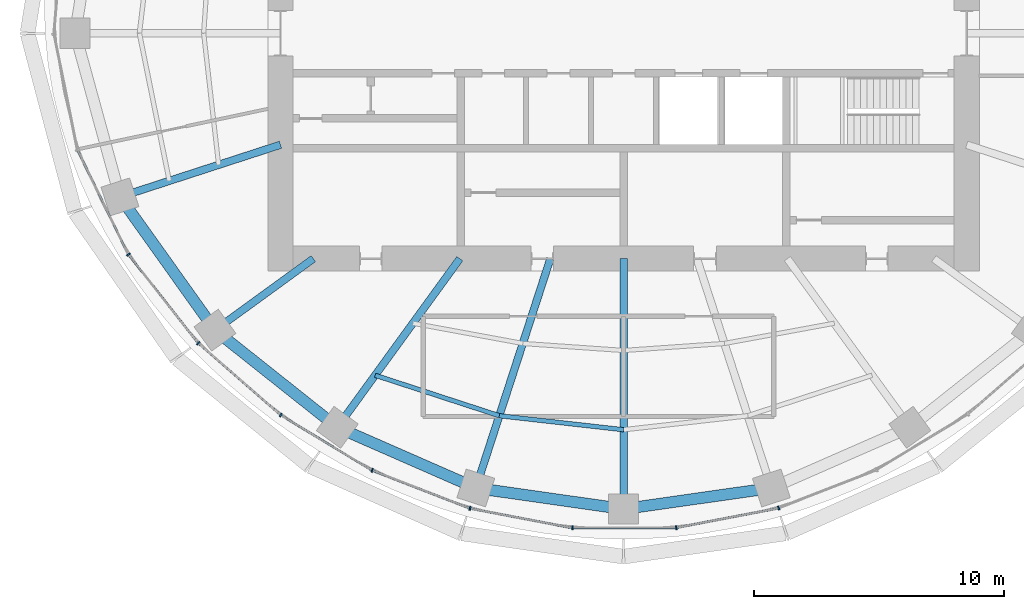
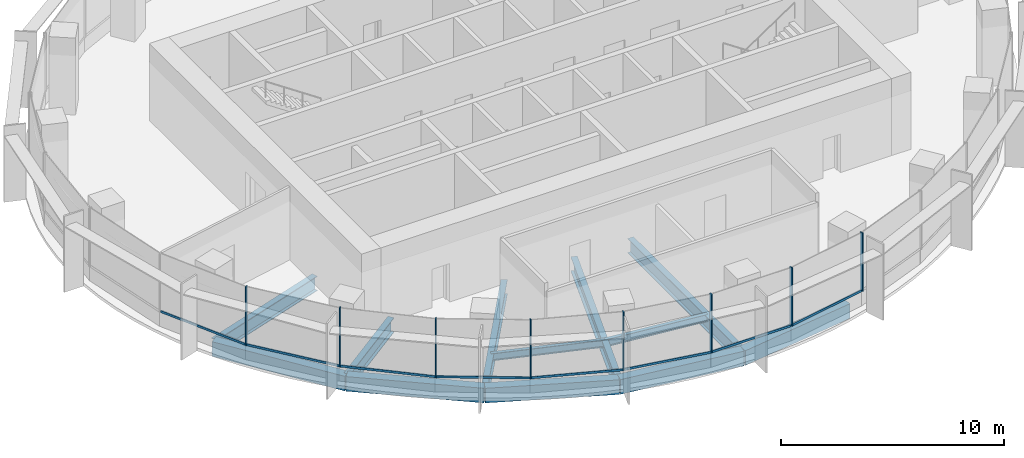
# One storey, part 2 of 13: 16 members, 12 beams, 2 elements without a shape of their own.
"""IFC4 building model written with IfcOpenShell, lengths in metres."""

from ifc_helpers import new_model, si_unit, direction, frame, origin, origin_2d, place, context, subcontext, project, spatial, rectangle, i_section, extrude, material, material_profile, profile_set, type_object, element, aggregate, save


model = new_model("IFC4")

# Units and contexts
model_context = context("Model", 3, precision=1e-05, world=origin(), true_north=direction((0.0, 1.0)))
body_context = subcontext(model_context, "Body", "Model", "MODEL_VIEW")
ifc_project = project(units=[si_unit("LENGTHUNIT", "METRE"), si_unit("AREAUNIT", "SQUARE_METRE"), si_unit("VOLUMEUNIT", "CUBIC_METRE"), si_unit("PLANEANGLEUNIT", "RADIAN"), si_unit("MASSUNIT", "GRAM", prefix="KILO")], contexts=[model_context])

# Site, building, storey
site_placement = place(None, origin())
site = spatial("IfcSite", under=ifc_project, at=site_placement, CompositionType="ELEMENT")
building_placement = place(site_placement, origin())
building = spatial("IfcBuilding", under=site, at=building_placement, Name="Marramba Exchange Tower", CompositionType="ELEMENT")
storey_placement = place(building_placement, frame((0.0, 0.0, 272.800048828125)))
storey = spatial("IfcBuildingStorey", under=building, at=storey_placement, Name="L66", CompositionType="ELEMENT", Elevation=272.800048828125)

# Curtain wall, members
ifc_material_1 = material(Name="Aluminium framing, bronze anodised", Category="aluminium")
curtain_wall_type = type_object("IfcCurtainWallType", Name="Executive floor ribbon curtain wall", PredefinedType="USERDEFINED", material=ifc_material_1)
curtain_wall_1_placement = place(storey_placement, origin())
curtain_wall_1 = element("IfcCurtainWall", 1, at=curtain_wall_1_placement, inside=storey, type_object=curtain_wall_type, Name="Curtain wall CW5 L66 F16-F20", ObjectType="RIBBON CURTAIN WALL", PredefinedType="USERDEFINED")
ifc_material_2 = material(Name="Aluminium mullion, bronze anodised", Category="aluminium")
ifc_material_profile_1 = material_profile(ifc_material_2, rectangle(XDim=0.159912109375, YDim=0.06005859375, at=origin_2d()), Name="CW5 mullion 60x160")
ifc_profile_set_1 = profile_set([ifc_material_profile_1], Name="Aluminium mullion, bronze anodised")
member_type_1 = type_object("IfcMemberType", Name="Executive floor ribbon curtain wall mullion", PredefinedType="MULLION", material=ifc_profile_set_1)
member_1_placement = place(storey_placement, frame((-19.771240234375, -8.83447265625, 0.800048828125), z_axis=(0.0, 0.0, 1.0), x_axis=(0.78594954734, 0.618290634763, 0.0)))
member_1 = element("IfcMember", 2, at=member_1_placement, type_object=member_type_1, Name="CW5 mullion 1", PredefinedType="MULLION", context=body_context, shape_type="SweptSolid", body=[
    extrude(rectangle(XDim=0.159912109375, YDim=0.06005859375, at=origin_2d()), origin(), (0.0, 0.0, 1.0), 3.199951171875),
])
member_2_placement = place(storey_placement, frame((-16.98046875, -12.373291015625, 0.800048828125), z_axis=(0.0, 0.0, 1.0), x_axis=(0.658305290779, 0.752751050569, 0.0)))
member_2 = element("IfcMember", 3, at=member_2_placement, type_object=member_type_1, Name="CW5 mullion 1", PredefinedType="MULLION", context=body_context, shape_type="SweptSolid", body=[
    extrude(rectangle(XDim=0.159912109375, YDim=0.06005859375, at=origin_2d()), origin(), (0.0, 0.0, 1.0), 3.199951171875),
])
member_3_placement = place(storey_placement, frame((-13.687744140625, -15.245849609375, 0.800048828125), z_axis=(0.0, 0.0, 1.0), x_axis=(0.519115121209, 0.854704329539, 0.0)))
member_3 = element("IfcMember", 4, at=member_3_placement, type_object=member_type_1, Name="CW5 mullion 1", PredefinedType="MULLION", context=body_context, shape_type="SweptSolid", body=[
    extrude(rectangle(XDim=0.159912109375, YDim=0.06005859375, at=origin_2d()), origin(), (0.0, 0.0, 1.0), 3.199951171875),
])

curtain_wall_2_placement = place(storey_placement, origin())
curtain_wall_2 = element("IfcCurtainWall", 5, at=curtain_wall_2_placement, inside=storey, type_object=curtain_wall_type, Name="Curtain wall CW5 L66 F21-F25", ObjectType="RIBBON CURTAIN WALL", PredefinedType="USERDEFINED")
member_4_placement = place(storey_placement, frame((-10.042724609375, -17.45361328125, 0.800048828125), z_axis=(0.0, 0.0, 1.0), x_axis=(0.363010271018, 0.931785137859, 0.0)))
member_4 = element("IfcMember", 6, at=member_4_placement, type_object=member_type_1, Name="CW5 mullion 1", PredefinedType="MULLION", context=body_context, shape_type="SweptSolid", body=[
    extrude(rectangle(XDim=0.159912109375, YDim=0.06005859375, at=origin_2d()), origin(), (0.0, 0.0, 1.0), 3.199951171875),
])
member_5_placement = place(storey_placement, frame((-6.1328125, -18.97119140625, 0.800048828125), z_axis=(0.0, 0.0, 1.0), x_axis=(0.187873198899, 0.982193291127, 0.0)))
member_5 = element("IfcMember", 7, at=member_5_placement, type_object=member_type_1, Name="CW5 mullion 1", PredefinedType="MULLION", context=body_context, shape_type="SweptSolid", body=[
    extrude(rectangle(XDim=0.159912109375, YDim=0.06005859375, at=origin_2d()), origin(), (0.0, 0.0, 1.0), 3.199951171875),
])
member_6_placement = place(storey_placement, frame((-2.04541015625, -19.7470703125, 0.800048828125), z_axis=(0.0, 0.0, 1.0), x_axis=(0.0, 1.0, 0.0)))
member_6 = element("IfcMember", 8, at=member_6_placement, type_object=member_type_1, Name="CW5 mullion 1", PredefinedType="MULLION", context=body_context, shape_type="SweptSolid", body=[
    extrude(rectangle(XDim=0.159912109375, YDim=0.06005859375, at=origin_2d()), origin(), (0.0, 0.0, 1.0), 3.199951171875),
])
member_7_placement = place(storey_placement, frame((2.10498046875, -19.741455078125, 0.800048828125), z_axis=(0.0, 0.0, 1.0), x_axis=(-0.187873198899, 0.982193291127, 0.0)))
member_7 = element("IfcMember", 9, at=member_7_placement, type_object=member_type_1, Name="CW5 mullion 1", PredefinedType="MULLION", context=body_context, shape_type="SweptSolid", body=[
    extrude(rectangle(XDim=0.159912109375, YDim=0.06005859375, at=origin_2d()), origin(), (0.0, 0.0, 1.0), 3.199951171875),
])
member_8_placement = place(storey_placement, frame((6.190185546875, -18.95458984375, 0.800048828125), z_axis=(0.0, 0.0, 1.0), x_axis=(-0.363010271018, 0.931785137859, 0.0)))
member_8 = element("IfcMember", 10, at=member_8_placement, type_object=member_type_1, Name="CW5 mullion 1", PredefinedType="MULLION", context=body_context, shape_type="SweptSolid", body=[
    extrude(rectangle(XDim=0.159912109375, YDim=0.06005859375, at=origin_2d()), origin(), (0.0, 0.0, 1.0), 3.199951171875),
])

# Member
ifc_material_3 = material(Name="Aluminium transom, bronze anodised", Category="aluminium")
ifc_material_profile_2 = material_profile(ifc_material_3, rectangle(XDim=0.06005859375, YDim=0.1201171875, at=origin_2d()), Name="CW5 transom 60x120")
ifc_profile_set_2 = profile_set([ifc_material_profile_2], Name="Aluminium transom, bronze anodised")
member_type_2 = type_object("IfcMemberType", Name="Executive floor ribbon curtain wall transom", PredefinedType="USERDEFINED", material=ifc_profile_set_2)
member_9_placement = place(storey_placement, frame((-21.788818359375, -4.69091796875, 0.829833984375), z_axis=(0.436519399678, -0.899694844769, 0.0), x_axis=(0.899694844769, 0.436519399678, 0.0)))
member_9 = element("IfcMember", 11, at=member_9_placement, type_object=member_type_2, Name="CW5 sill transom", ObjectType="TRANSOM", PredefinedType="USERDEFINED", context=body_context, shape_type="SweptSolid", body=[
    extrude(rectangle(XDim=0.06005859375, YDim=0.1201171875, at=origin_2d()), origin(), (0.0, 0.0, 1.0), 4.579345703125),
])

member_10_placement = place(storey_placement, frame((-19.752685546875, -8.858154296875, 0.829833984375), z_axis=(0.61829420435, -0.785946739206, 0.0), x_axis=(0.785946739206, 0.61829420435, 0.0)))
member_10 = element("IfcMember", 12, at=member_10_placement, type_object=member_type_2, Name="CW5 sill transom", ObjectType="TRANSOM", PredefinedType="USERDEFINED", context=body_context, shape_type="SweptSolid", body=[
    extrude(rectangle(XDim=0.06005859375, YDim=0.1201171875, at=origin_2d()), origin(), (0.0, 0.0, 1.0), 4.447265625),
])

member_11_placement = place(storey_placement, frame((-16.957763671875, -12.392822265625, 0.829833984375), z_axis=(0.752741590247, -0.658316108198, 0.0), x_axis=(0.658316108198, 0.752741590247, 0.0)))
member_11 = element("IfcMember", 13, at=member_11_placement, type_object=member_type_2, Name="CW5 sill transom", ObjectType="TRANSOM", PredefinedType="USERDEFINED", context=body_context, shape_type="SweptSolid", body=[
    extrude(rectangle(XDim=0.06005859375, YDim=0.1201171875, at=origin_2d()), origin(), (0.0, 0.0, 1.0), 4.31005859375),
])

member_12_placement = place(storey_placement, frame((-13.662109375, -15.261474609375, 0.829833984375), z_axis=(0.854701897511, -0.519119125434, 0.0), x_axis=(0.519119125434, 0.854701897511, 0.0)))
member_12 = element("IfcMember", 14, at=member_12_placement, type_object=member_type_2, Name="CW5 sill transom", ObjectType="TRANSOM", PredefinedType="USERDEFINED", context=body_context, shape_type="SweptSolid", body=[
    extrude(rectangle(XDim=0.06005859375, YDim=0.1201171875, at=origin_2d()), origin(), (0.0, 0.0, 1.0), 4.2021484375),
])

aggregate(curtain_wall_1, [member_9, member_1, member_10, member_2, member_11, member_3, member_12])

member_13_placement = place(storey_placement, frame((-10.0146484375, -17.464599609375, 0.829833984375), z_axis=(0.931790621773, -0.362996194438, 0.0), x_axis=(0.362996194438, 0.931790621773, 0.0)))
member_13 = element("IfcMember", 15, at=member_13_placement, type_object=member_type_2, Name="CW5 sill transom", ObjectType="TRANSOM", PredefinedType="USERDEFINED", context=body_context, shape_type="SweptSolid", body=[
    extrude(rectangle(XDim=0.06005859375, YDim=0.1201171875, at=origin_2d()), origin(), (0.0, 0.0, 1.0), 4.13427734375),
])

member_14_placement = place(storey_placement, frame((-6.103271484375, -18.976806640625, 0.829833984375), z_axis=(0.982201256187, -0.187831553114, 0.0), x_axis=(0.187831553114, 0.982201256187, 0.0)))
member_14 = element("IfcMember", 16, at=member_14_placement, type_object=member_type_2, Name="CW5 sill transom", ObjectType="TRANSOM", PredefinedType="USERDEFINED", context=body_context, shape_type="SweptSolid", body=[
    extrude(rectangle(XDim=0.06005859375, YDim=0.1201171875, at=origin_2d()), origin(), (0.0, 0.0, 1.0), 4.100830078125),
])

member_15_placement = place(storey_placement, frame((-2.015625, -19.7470703125, 0.829833984375), z_axis=(1.0, 0.0, 0.0), x_axis=(0.0, 1.0, 0.0)))
member_15 = element("IfcMember", 17, at=member_15_placement, type_object=member_type_2, Name="CW5 sill transom", ObjectType="TRANSOM", PredefinedType="USERDEFINED", context=body_context, shape_type="SweptSolid", body=[
    extrude(rectangle(XDim=0.06005859375, YDim=0.1201171875, at=origin_2d()), origin(), (0.0, 0.0, 1.0), 4.091064453125),
])

member_16_placement = place(storey_placement, frame((2.134521484375, -19.73583984375, 0.829833984375), z_axis=(0.982190271195, 0.187888986295, 0.0), x_axis=(-0.187888986295, 0.982190271195, 0.0)))
member_16 = element("IfcMember", 18, at=member_16_placement, type_object=member_type_2, Name="CW5 sill transom", ObjectType="TRANSOM", PredefinedType="USERDEFINED", context=body_context, shape_type="SweptSolid", body=[
    extrude(rectangle(XDim=0.06005859375, YDim=0.1201171875, at=origin_2d()), origin(), (0.0, 0.0, 1.0), 4.100830078125),
])

aggregate(curtain_wall_2, [member_4, member_13, member_5, member_14, member_6, member_15, member_7, member_16, member_8])

# Beams
ifc_material_4 = material(Name="Steel AS/NZS 3679.1 grade 300", Category="steel")
ifc_material_profile_3 = material_profile(ifc_material_4, i_section(OverallWidth=0.177978515625, OverallDepth=0.403076171875, WebThickness=0.007568359375, FlangeThickness=0.010986328125, FilletRadius=0.011474609375, at=origin_2d()), Name="410UB53.7")
ifc_profile_set_3 = profile_set([ifc_material_profile_3], Name="Steel AS/NZS 3679.1 grade 300")
beam_type_1 = type_object("IfcBeamType", Name="Floor joist 410UB53.7", PredefinedType="JOIST", material=ifc_profile_set_3)
beam_1_placement = place(storey_placement, frame((-9.9208984375, -13.655029296875, -0.361572265625), z_axis=(0.950764024931, -0.309915744834, 0.0), x_axis=(0.309915744834, 0.950764024931, 0.0)))
element("IfcBeam", 19, at=beam_1_placement, inside=storey, type_object=beam_type_1, Name="Joist L66 bay 14 row 2", PredefinedType="JOIST", context=body_context, shape_type="SweptSolid", body=[
    extrude(i_section(OverallWidth=0.177978515625, OverallDepth=0.403076171875, WebThickness=0.007568359375, FlangeThickness=0.010986328125, FilletRadius=0.011474609375, at=origin_2d()), origin(), (0.0, 0.0, 1.0), 5.2158203125),
])
beam_2_placement = place(storey_placement, frame((-4.9619140625, -15.271484375, -0.361572265625), z_axis=(0.993712018573, -0.111966174106, 0.0), x_axis=(0.111966174106, 0.993712018573, 0.0)))
element("IfcBeam", 20, at=beam_2_placement, inside=storey, type_object=beam_type_1, Name="Joist L66 bay 15 row 2", PredefinedType="JOIST", context=body_context, shape_type="SweptSolid", body=[
    extrude(i_section(OverallWidth=0.177978515625, OverallDepth=0.403076171875, WebThickness=0.007568359375, FlangeThickness=0.010986328125, FilletRadius=0.011474609375, at=origin_2d()), origin(), (0.0, 0.0, 1.0), 4.993408203125),
])
ifc_material_5 = material(Name="Steel AS/NZS 3679.2 grade 300", Category="steel")
ifc_material_profile_4 = material_profile(ifc_material_5, i_section(OverallWidth=0.300048828125, OverallDepth=0.800048828125, WebThickness=0.013916015625, FlangeThickness=0.031982421875, at=origin_2d()), Name="800WB192")
ifc_profile_set_4 = profile_set([ifc_material_profile_4], Name="Steel AS/NZS 3679.2 grade 300")
beam_type_2 = type_object("IfcBeamType", Name="Radial girder 800WB192", PredefinedType="BEAM", material=ifc_profile_set_4)
beam_3_placement = place(storey_placement, frame((-13.699951171875, -4.451416015625, -0.56005859375), z_axis=(-0.951057759669, -0.309013167637, 0.0), x_axis=(0.309013167637, -0.951057759669, 0.0)))
element("IfcBeam", 21, at=beam_3_placement, inside=storey, type_object=beam_type_2, Name="Radial girder L66 TC12", PredefinedType="BEAM", context=body_context, shape_type="SweptSolid", body=[
    extrude(i_section(OverallWidth=0.300048828125, OverallDepth=0.800048828125, WebThickness=0.013916015625, FlangeThickness=0.031982421875, at=origin_2d()), origin(), (0.0, 0.0, 1.0), 6.7392578125),
])
beam_4_placement = place(storey_placement, frame((-12.387451171875, -9.0, -0.56005859375), z_axis=(-0.809025189606, -0.58777397236, 0.0), x_axis=(0.58777397236, -0.809025189606, 0.0)))
element("IfcBeam", 22, at=beam_4_placement, inside=storey, type_object=beam_type_2, Name="Radial girder L66 TC13", PredefinedType="BEAM", context=body_context, shape_type="SweptSolid", body=[
    extrude(i_section(OverallWidth=0.300048828125, OverallDepth=0.800048828125, WebThickness=0.013916015625, FlangeThickness=0.031982421875, at=origin_2d()), origin(), (0.0, 0.0, 1.0), 4.855224609375),
])
beam_5_placement = place(storey_placement, frame((-6.538818359375, -9.0, -0.56005859375), z_axis=(-0.587787877172, -0.809015087282, 0.0), x_axis=(0.809015087282, -0.587787877172, 0.0)))
element("IfcBeam", 23, at=beam_5_placement, inside=storey, type_object=beam_type_2, Name="Radial girder L66 TC14", PredefinedType="BEAM", context=body_context, shape_type="SweptSolid", body=[
    extrude(i_section(OverallWidth=0.300048828125, OverallDepth=0.800048828125, WebThickness=0.013916015625, FlangeThickness=0.031982421875, at=origin_2d()), origin(), (0.0, 0.0, 1.0), 8.322021484375),
])
beam_6_placement = place(storey_placement, frame((-2.92431640625, -9.0, -0.56005859375), z_axis=(-0.309022428985, -0.951054750466, 0.0), x_axis=(0.951054750466, -0.309022428985, 0.0)))
element("IfcBeam", 24, at=beam_6_placement, inside=storey, type_object=beam_type_2, Name="Radial girder L66 TC15", PredefinedType="BEAM", context=body_context, shape_type="SweptSolid", body=[
    extrude(i_section(OverallWidth=0.300048828125, OverallDepth=0.800048828125, WebThickness=0.013916015625, FlangeThickness=0.031982421875, at=origin_2d()), origin(), (0.0, 0.0, 1.0), 9.628173828125),
])
beam_7_placement = place(storey_placement, frame((0.0, -9.0, -0.56005859375), z_axis=(0.0, -1.0, 0.0), x_axis=(1.0, 0.0, 0.0)))
element("IfcBeam", 25, at=beam_7_placement, inside=storey, type_object=beam_type_2, Name="Radial girder L66 TC16", PredefinedType="BEAM", context=body_context, shape_type="SweptSolid", body=[
    extrude(i_section(OverallWidth=0.300048828125, OverallDepth=0.800048828125, WebThickness=0.013916015625, FlangeThickness=0.031982421875, at=origin_2d()), origin(), (0.0, 0.0, 1.0), 9.99609375),
])
ifc_material_6 = material(Name="Concrete N50", Category="concrete")
ifc_material_profile_5 = material_profile(ifc_material_6, rectangle(XDim=0.449951171875, YDim=0.800048828125, at=origin_2d()), Name="RC 450x800")
ifc_profile_set_5 = profile_set([ifc_material_profile_5], Name="Concrete N50")
beam_type_3 = type_object("IfcBeamType", Name="Ring beam RC 450x800 N50", PredefinedType="SPANDREL", material=ifc_profile_set_5)
beam_8_placement = place(storey_placement, frame((-20.109375, -6.533935546875, -0.56005859375), z_axis=(0.580637181111, -0.814162430914, 0.0), x_axis=(0.814162430914, 0.580637181111, 0.0)))
element("IfcBeam", 26, at=beam_8_placement, inside=storey, type_object=beam_type_3, Name="Ring beam L66 TC12-TC13", PredefinedType="SPANDREL", context=body_context, shape_type="SweptSolid", body=[
    extrude(rectangle(XDim=0.449951171875, YDim=0.800048828125, at=origin_2d()), origin(), (0.0, 0.0, 1.0), 6.5341796875),
])
beam_9_placement = place(storey_placement, frame((-16.3154296875, -11.853759765625, -0.56005859375), z_axis=(0.783139438128, -0.621846138887, 0.0), x_axis=(0.621846138887, 0.783139438128, 0.0)))
element("IfcBeam", 27, at=beam_9_placement, inside=storey, type_object=beam_type_3, Name="Ring beam L66 TC13-TC14", PredefinedType="SPANDREL", context=body_context, shape_type="SweptSolid", body=[
    extrude(rectangle(XDim=0.449951171875, YDim=0.800048828125, at=origin_2d()), origin(), (0.0, 0.0, 1.0), 6.23779296875),
])
beam_10_placement = place(storey_placement, frame((-11.430419921875, -15.732666015625, -0.56005859375), z_axis=(0.915876892158, -0.4014592363, 0.0), x_axis=(0.4014592363, 0.915876892158, 0.0)))
element("IfcBeam", 28, at=beam_10_placement, inside=storey, type_object=beam_type_3, Name="Ring beam L66 TC14-TC15", PredefinedType="SPANDREL", context=body_context, shape_type="SweptSolid", body=[
    extrude(rectangle(XDim=0.449951171875, YDim=0.800048828125, at=origin_2d()), origin(), (0.0, 0.0, 1.0), 6.038818359375),
])
for number, where, z_axis, x_axis, name in (
    (29, (-5.899658203125, -18.156982421875, -0.56005859375), (0.990036163016, -0.140813337152, 0.0), (0.140813337152, 0.990036163016, 0.0), "Ring beam L66 TC15-TC16"),
    (30, (0.0, -18.99609375, -0.56005859375), (0.990036163016, 0.140813337152, 0.0), (-0.140813337152, 0.990036163016, 0.0), "Ring beam L66 TC16-TC17"),
):
    element("IfcBeam", number, at=place(storey_placement, frame(where, z_axis=z_axis, x_axis=x_axis)), inside=storey, type_object=beam_type_3, Name=name, PredefinedType="SPANDREL", context=body_context, shape_type="SweptSolid", body=[
        extrude(rectangle(XDim=0.449951171875, YDim=0.800048828125, at=origin_2d()), origin(), (0.0, 0.0, 1.0), 5.958984375),
    ])

save(model, "model.ifc")
